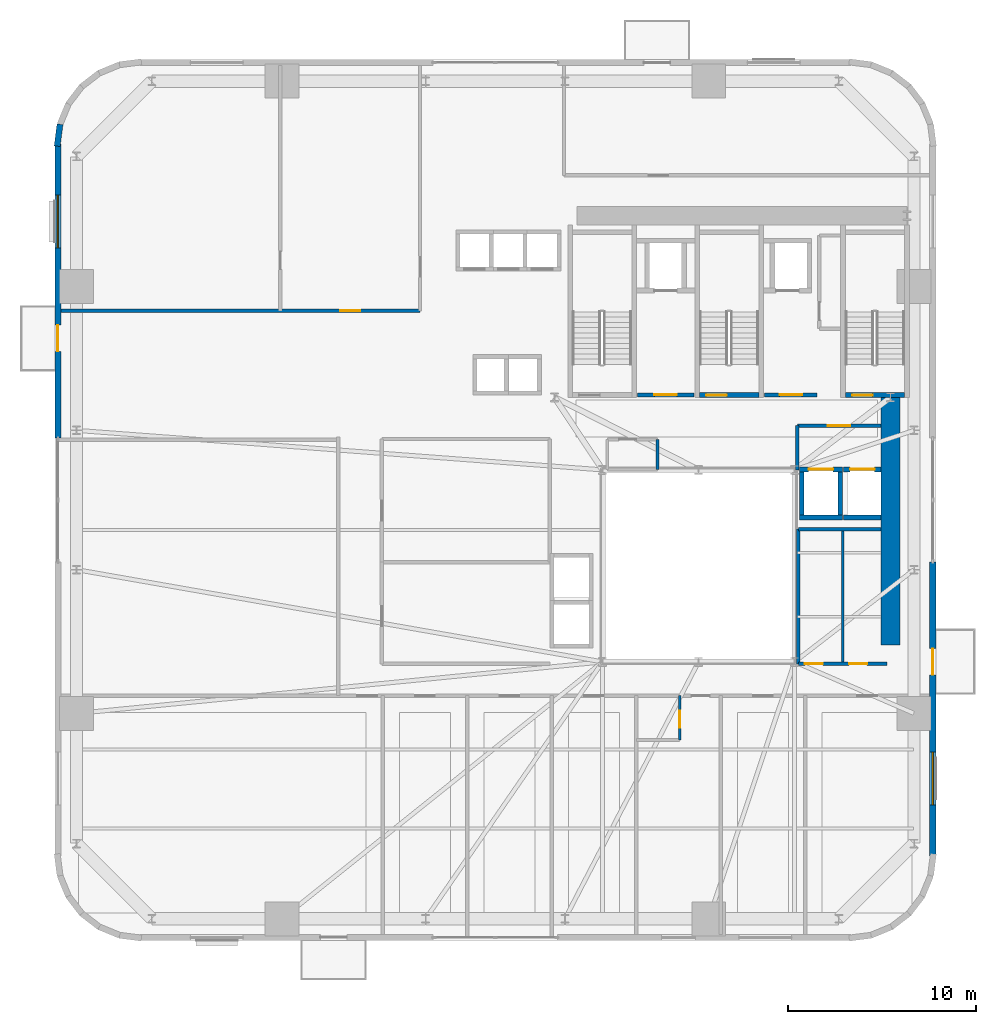
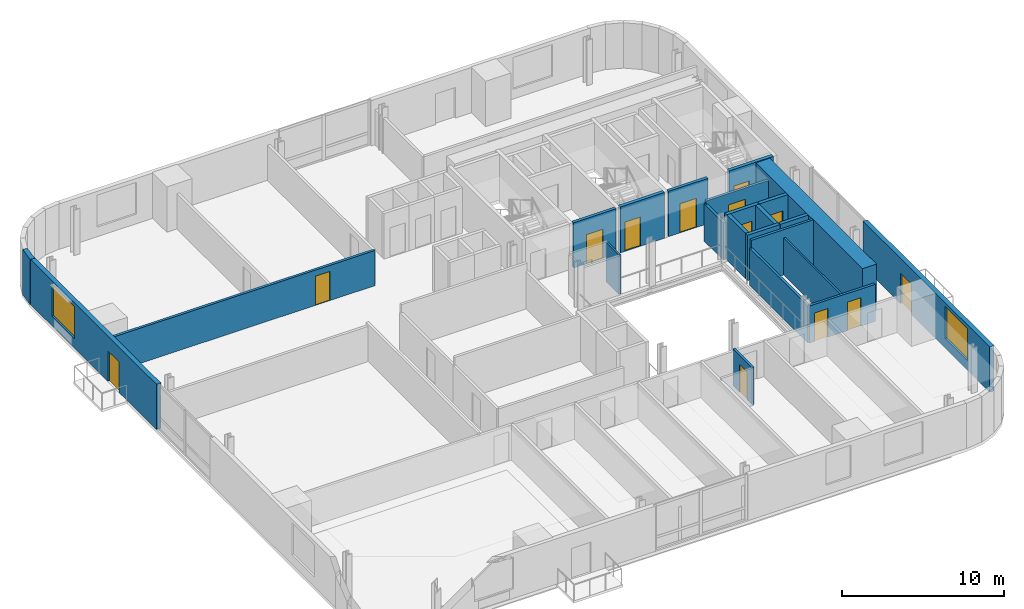
# One storey, part 7 of 13: 23 walls, 13 doors, 2 windows, 15 openings.
"""IFC4 building model written with IfcOpenShell, lengths in metres."""

from ifc_helpers import new_model, si_unit, direction, frame, frame_2d, origin, place, context, subcontext, project, spatial, rectangle, extrude, source, transform, mapped, material, layer, layer_set, type_object, element, fill, save


model = new_model("IFC4")

# Units and contexts
model_context = context("Model", 3, precision=1e-05, world=origin(), true_north=direction((0.0, 1.0)))
body_context = subcontext(model_context, "Body", "Model", "MODEL_VIEW")
ifc_project = project(units=[si_unit("LENGTHUNIT", "METRE"), si_unit("AREAUNIT", "SQUARE_METRE"), si_unit("VOLUMEUNIT", "CUBIC_METRE"), si_unit("PLANEANGLEUNIT", "RADIAN"), si_unit("MASSUNIT", "GRAM", prefix="KILO")], contexts=[model_context])

# Site, building, storey
site_placement = place(None, origin())
site = spatial("IfcSite", under=ifc_project, at=site_placement, CompositionType="ELEMENT")
building_placement = place(site_placement, origin())
building = spatial("IfcBuilding", under=site, at=building_placement, Name="Vardaveli Station Tower", CompositionType="ELEMENT")
storey_placement = place(building_placement, frame((0.0, 0.0, 86.0)))
storey = spatial("IfcBuildingStorey", under=building, at=storey_placement, Name="L22", CompositionType="ELEMENT", Elevation=86.0)

# Wall
ifc_material_1 = material(Name="Concrete C60/75", Category="concrete")
ifc_layer_1 = layer(ifc_material_1, 1.0, Name="Concrete C60/75")
ifc_layer_set_1 = layer_set([ifc_layer_1], Name="Concrete C60/75")
wall_type_1 = type_object("IfcWallType", Name="WAL-CORE-1000", PredefinedType="SHEAR", material=ifc_layer_set_1)
shared_shape_1 = source(origin(), body_context, "Body", "SweptSolid", [
    extrude(rectangle(XDim=13.14990234375, YDim=1.0, at=frame_2d((6.574951171875, 0.0))), origin(), (0.0, 0.0, 1.0), 3.409912109375),
])
wall_1_placement = place(storey_placement, frame((46.5, 17.5, 0.0), z_axis=(0.0, 0.0, 1.0), x_axis=(0.0, 1.0, 0.0)))
element("IfcWall", 1, at=wall_1_placement, inside=storey, type_object=wall_type_1, Name="SW-L22-EAST2", PredefinedType="SHEAR", context=body_context, shape_type="MappedRepresentation", body=[
    mapped(shared_shape_1, transform((0.0, 0.0, 0.0), scale=1.0)),
])

# Wall, openings, door, window
ifc_material_2 = material(Name="Precast concrete C45/55", Category="concrete")
ifc_layer_2 = layer(ifc_material_2, 0.320068359375, Name="Precast concrete C45/55")
ifc_layer_set_2 = layer_set([ifc_layer_2], Name="Precast concrete C45/55")
wall_type_2 = type_object("IfcWallType", Name="WAL-EXT-STONE-320", PredefinedType="SOLIDWALL", material=ifc_layer_set_2)
shared_shape_2 = source(origin(), body_context, "Body", "SweptSolid", [
    extrude(rectangle(XDim=15.599853515625, YDim=0.320068359375, at=frame_2d((7.7998046875, 0.0))), origin(), (0.0, 0.0, 1.0), 3.409912109375),
])
wall_2_placement = place(storey_placement, frame((48.739990234375, 6.300048828125, 0.0), z_axis=(0.0, 0.0, 1.0), x_axis=(0.0, 1.0, 0.0)))
wall_2 = element("IfcWall", 2, at=wall_2_placement, inside=storey, type_object=wall_type_2, Name="EW-L22-E1", PredefinedType="SOLIDWALL", context=body_context, shape_type="MappedRepresentation", body=[
    mapped(shared_shape_2, transform((0.0, 0.0, 0.0), scale=1.0)),
])
shared_shape_3 = source(origin(), body_context, "Body", "SweptSolid", [
    extrude(rectangle(XDim=1.39990234375, YDim=2.300048828125, at=frame_2d((0.699951171875, 1.14990234375))), frame((0.0, 0.169921875, 0.0), z_axis=(0.0, -1.0, 0.0), x_axis=(1.0, 0.0, 0.0)), (0.0, 0.0, 1.0), 0.340087890625),
])
opening_1_placement = place(wall_2_placement, frame((9.6103515625, 0.0, 0.0)))
opening_1 = element("IfcOpeningElement", 3, at=opening_1_placement, cuts=wall_2, Name="Opening D-09", PredefinedType="OPENING", context=body_context, shape_type="MappedRepresentation", body=[
    mapped(shared_shape_3, transform((0.0, 0.0, 0.0), scale=1.0)),
])
shared_shape_4 = source(origin(), body_context, "Body", "SweptSolid", [
    extrude(rectangle(XDim=2.800048828125, YDim=2.39990234375, at=frame_2d((1.39990234375, 1.199951171875))), frame((0.0, 0.169921875, 0.0), z_axis=(0.0, -1.0, 0.0), x_axis=(1.0, 0.0, 0.0)), (0.0, 0.0, 1.0), 0.340087890625),
])
opening_2_placement = place(wall_2_placement, frame((2.705078125, 0.0, 0.719970703125)))
opening_2 = element("IfcOpeningElement", 4, at=opening_2_placement, cuts=wall_2, Name="Opening W-04", PredefinedType="OPENING", context=body_context, shape_type="MappedRepresentation", body=[
    mapped(shared_shape_4, transform((0.0, 0.0, 0.0), scale=1.0)),
])
ifc_material_3 = material(Name="Thermally broken aluminium glass", Category="aluminium")
door_type_1 = type_object("IfcDoorType", Name="DR-LOG-1400x2300", OperationType="DOUBLE_DOOR_SLIDING", PredefinedType="DOOR", material=ifc_material_3)
shared_shape_5 = source(origin(), body_context, "Body", "SweptSolid", [
    extrude(rectangle(XDim=1.39990234375, YDim=2.300048828125, at=frame_2d((0.699951171875, 1.14990234375))), frame((0.0, 0.02490234375, 0.0), z_axis=(0.0, -1.0, 0.0), x_axis=(1.0, 0.0, 0.0)), (0.0, 0.0, 1.0), 0.050048828125),
])
door_1_placement = place(opening_1_placement, frame((1.39990234375, 0.0, 0.0), z_axis=(0.0, 0.0, 1.0), x_axis=(-1.0, 0.0, 0.0)))
door_1 = element("IfcDoor", 5, at=door_1_placement, inside=storey, type_object=door_type_1, Name="DLG-L22-E", OperationType="DOUBLE_DOOR_SLIDING", OverallHeight=2.300048828125, OverallWidth=1.39990234375, PredefinedType="DOOR", context=body_context, shape_type="MappedRepresentation", body=[
    mapped(shared_shape_5, transform((0.0, 0.0, 0.0), scale=1.0)),
])
fill(opening_1, door_1)
ifc_material_4 = material(Name="Low-E solar-control glass", Category="glass")
window_type = type_object("IfcWindowType", Name="WIN-SUITE-2800x2400", PartitioningType="SINGLE_PANEL", PredefinedType="WINDOW", material=ifc_material_4)
shared_shape_6 = source(origin(), body_context, "Body", "SweptSolid", [
    extrude(rectangle(XDim=2.800048828125, YDim=2.39990234375, at=frame_2d((1.39990234375, 1.199951171875))), frame((0.0, 0.030029296875, 0.0), z_axis=(0.0, -1.0, 0.0), x_axis=(1.0, 0.0, 0.0)), (0.0, 0.0, 1.0), 0.06005859375),
])
window_1_placement = place(opening_2_placement, origin())
window_1 = element("IfcWindow", 6, at=window_1_placement, inside=storey, type_object=window_type, Name="WN-L22-E1", OverallHeight=2.39990234375, OverallWidth=2.800048828125, PartitioningType="SINGLE_PANEL", PredefinedType="WINDOW", context=body_context, shape_type="MappedRepresentation", body=[
    mapped(shared_shape_6, transform((0.0, 0.0, 0.0), scale=1.0)),
])
fill(opening_2, window_1)

shared_shape_7 = source(origin(), body_context, "Body", "SweptSolid", [
    extrude(rectangle(XDim=15.60009765625, YDim=0.320068359375, at=frame_2d((7.800048828125, 0.0))), origin(), (0.0, 0.0, 1.0), 3.409912109375),
])
wall_3_placement = place(storey_placement, frame((2.260009765625, 44.10009765625, 0.0), z_axis=(0.0, 0.0, 1.0), x_axis=(0.0, -1.0, 0.0)))
wall_3 = element("IfcWall", 7, at=wall_3_placement, inside=storey, type_object=wall_type_2, Name="EW-L22-W1", PredefinedType="SOLIDWALL", context=body_context, shape_type="MappedRepresentation", body=[
    mapped(shared_shape_7, transform((0.0, 0.0, 0.0), scale=1.0)),
])
opening_3_placement = place(wall_3_placement, frame((9.6103515625, 0.0, 0.0)))
opening_3 = element("IfcOpeningElement", 8, at=opening_3_placement, cuts=wall_3, Name="Opening D-09", PredefinedType="OPENING", context=body_context, shape_type="MappedRepresentation", body=[
    mapped(shared_shape_3, transform((0.0, 0.0, 0.0), scale=1.0)),
])
opening_4_placement = place(wall_3_placement, frame((2.705078125, 0.0, 0.719970703125)))
opening_4 = element("IfcOpeningElement", 9, at=opening_4_placement, cuts=wall_3, Name="Opening W-04", PredefinedType="OPENING", context=body_context, shape_type="MappedRepresentation", body=[
    mapped(shared_shape_4, transform((0.0, 0.0, 0.0), scale=1.0)),
])
door_2_placement = place(opening_3_placement, frame((1.39990234375, 0.0, 0.0), z_axis=(0.0, 0.0, 1.0), x_axis=(-1.0, 0.0, 0.0)))
door_2 = element("IfcDoor", 10, at=door_2_placement, inside=storey, type_object=door_type_1, Name="DLG-L22-W", OperationType="DOUBLE_DOOR_SLIDING", OverallHeight=2.300048828125, OverallWidth=1.39990234375, PredefinedType="DOOR", context=body_context, shape_type="MappedRepresentation", body=[
    mapped(shared_shape_5, transform((0.0, 0.0, 0.0), scale=1.0)),
])
fill(opening_3, door_2)
window_2_placement = place(opening_4_placement, origin())
window_2 = element("IfcWindow", 11, at=window_2_placement, inside=storey, type_object=window_type, Name="WN-L22-W1", OverallHeight=2.39990234375, OverallWidth=2.800048828125, PartitioningType="SINGLE_PANEL", PredefinedType="WINDOW", context=body_context, shape_type="MappedRepresentation", body=[
    mapped(shared_shape_6, transform((0.0, 0.0, 0.0), scale=1.0)),
])
fill(opening_4, window_2)

# Wall
shared_shape_8 = source(origin(), body_context, "Body", "SweptSolid", [
    extrude(rectangle(XDim=1.17041015625, YDim=0.320068359375, at=frame_2d((0.585205078125, 0.0))), origin(), (0.0, 0.0, 1.0), 3.409912109375),
])
wall_4_placement = place(storey_placement, frame((2.37451171875, 45.16015625, 0.0), z_axis=(0.0, 0.0, 1.0), x_axis=(-0.128295670475, -0.991735963317, 0.0)))
element("IfcWall", 12, at=wall_4_placement, inside=storey, type_object=wall_type_2, Name="EW-L22-CR4-6", PredefinedType="SOLIDWALL", context=body_context, shape_type="MappedRepresentation", body=[
    mapped(shared_shape_8, transform((0.0, 0.0, 0.0), scale=1.0)),
])

# Wall, opening, door
ifc_material_5 = material(Name="Concrete C40/50", Category="concrete")
ifc_layer_3 = layer(ifc_material_5, 0.25, Name="Concrete C40/50")
ifc_layer_set_3 = layer_set([ifc_layer_3], Name="Concrete C40/50")
wall_type_3 = type_object("IfcWallType", Name="WAL-SHAFT-250", PredefinedType="SOLIDWALL", material=ifc_layer_set_3)
shared_shape_9 = source(origin(), body_context, "Body", "SweptSolid", [
    extrude(rectangle(XDim=3.14990234375, YDim=0.25, at=frame_2d((1.574951171875, 0.0))), origin(), (0.0, 0.0, 1.0), 3.449951171875),
])
wall_5_placement = place(storey_placement, frame((36.35009765625, 30.77490234375, 0.0), z_axis=(0.0, 0.0, 1.0), x_axis=(1.0, 0.0, 0.0)))
wall_5 = element("IfcWall", 13, at=wall_5_placement, inside=storey, type_object=wall_type_3, Name="W-L22-ST-2S", PredefinedType="SOLIDWALL", context=body_context, shape_type="MappedRepresentation", body=[
    mapped(shared_shape_9, transform((0.0, 0.0, 0.0), scale=1.0)),
])
shared_shape_10 = source(origin(), body_context, "Body", "SweptSolid", [
    extrude(rectangle(XDim=1.10009765625, YDim=2.199951171875, at=frame_2d((0.550048828125, 1.10009765625))), frame((0.0, 0.135009765625, 0.0), z_axis=(0.0, -1.0, 0.0), x_axis=(1.0, 0.0, 0.0)), (0.0, 0.0, 1.0), 0.27001953125),
])
opening_5_placement = place(wall_5_placement, frame((0.35009765625, 0.0, 0.0)))
opening_5 = element("IfcOpeningElement", 14, at=opening_5_placement, cuts=wall_5, Name="Opening D-04", PredefinedType="OPENING", context=body_context, shape_type="MappedRepresentation", body=[
    mapped(shared_shape_10, transform((0.0, 0.0, 0.0), scale=1.0)),
])
ifc_material_6 = material(Name="Steel smokeproof fire doorset", Category="steel")
door_type_2 = type_object("IfcDoorType", Name="DR-ST-1100x2200", OperationType="NOTDEFINED", PredefinedType="DOOR", material=ifc_material_6)
shared_shape_11 = source(origin(), body_context, "Body", "SweptSolid", [
    extrude(rectangle(XDim=1.10009765625, YDim=2.199951171875, at=frame_2d((0.550048828125, 1.10009765625))), frame((0.0, 0.02490234375, 0.0), z_axis=(0.0, -1.0, 0.0), x_axis=(1.0, 0.0, 0.0)), (0.0, 0.0, 1.0), 0.050048828125),
])
door_3_placement = place(opening_5_placement, origin())
door_3 = element("IfcDoor", 15, at=door_3_placement, inside=storey, type_object=door_type_2, Name="DST-2-L22", OperationType="SINGLE_SWING_LEFT", OverallHeight=2.199951171875, OverallWidth=1.10009765625, PredefinedType="DOOR", context=body_context, shape_type="MappedRepresentation", body=[
    mapped(shared_shape_11, transform((0.0, 0.0, 0.0), scale=1.0)),
])
fill(opening_5, door_3)

wall_6_placement = place(storey_placement, frame((44.10009765625, 30.77490234375, 0.0), z_axis=(0.0, 0.0, 1.0), x_axis=(1.0, 0.0, 0.0)))
wall_6 = element("IfcWall", 16, at=wall_6_placement, inside=storey, type_object=wall_type_3, Name="W-L22-ST-3S", PredefinedType="SOLIDWALL", context=body_context, shape_type="MappedRepresentation", body=[
    mapped(shared_shape_9, transform((0.0, 0.0, 0.0), scale=1.0)),
])
opening_6_placement = place(wall_6_placement, frame((0.35009765625, 0.0, 0.0)))
opening_6 = element("IfcOpeningElement", 17, at=opening_6_placement, cuts=wall_6, Name="Opening D-04", PredefinedType="OPENING", context=body_context, shape_type="MappedRepresentation", body=[
    mapped(shared_shape_10, transform((0.0, 0.0, 0.0), scale=1.0)),
])
door_4_placement = place(opening_6_placement, origin())
door_4 = element("IfcDoor", 18, at=door_4_placement, inside=storey, type_object=door_type_2, Name="DST-3-L22", OperationType="SINGLE_SWING_LEFT", OverallHeight=2.199951171875, OverallWidth=1.10009765625, PredefinedType="DOOR", context=body_context, shape_type="MappedRepresentation", body=[
    mapped(shared_shape_11, transform((0.0, 0.0, 0.0), scale=1.0)),
])
fill(opening_6, door_4)

ifc_layer_4 = layer(ifc_material_5, 0.219970703125, Name="Concrete C40/50")
ifc_layer_set_4 = layer_set([ifc_layer_4], Name="Concrete C40/50")
wall_type_4 = type_object("IfcWallType", Name="WAL-FFLOBBY-220", PredefinedType="SOLIDWALL", material=ifc_layer_set_4)
shared_shape_12 = source(origin(), body_context, "Body", "SweptSolid", [
    extrude(rectangle(XDim=3.0, YDim=0.219970703125, at=frame_2d((1.5, 0.0))), origin(), (0.0, 0.0, 1.0), 3.409912109375),
])
wall_7_placement = place(storey_placement, frame((33.050048828125, 30.780029296875, 0.0), z_axis=(0.0, 0.0, 1.0), x_axis=(1.0, 0.0, 0.0)))
wall_7 = element("IfcWall", 19, at=wall_7_placement, inside=storey, type_object=wall_type_4, Name="W-L22-FFL1S", PredefinedType="SOLIDWALL", context=body_context, shape_type="MappedRepresentation", body=[
    mapped(shared_shape_12, transform((0.0, 0.0, 0.0), scale=1.0)),
])
shared_shape_13 = source(origin(), body_context, "Body", "SweptSolid", [
    extrude(rectangle(XDim=1.199951171875, YDim=2.199951171875, at=frame_2d((0.60009765625, 1.10009765625))), frame((0.0, 0.1201171875, 0.0), z_axis=(0.0, -1.0, 0.0), x_axis=(1.0, 0.0, 0.0)), (0.0, 0.0, 1.0), 0.239990234375),
])
opening_7_placement = place(wall_7_placement, frame((0.89990234375, 0.0, 0.0)))
opening_7 = element("IfcOpeningElement", 20, at=opening_7_placement, cuts=wall_7, Name="Opening D-03", PredefinedType="OPENING", context=body_context, shape_type="MappedRepresentation", body=[
    mapped(shared_shape_13, transform((0.0, 0.0, 0.0), scale=1.0)),
])
door_type_3 = type_object("IfcDoorType", Name="DR-FFL-1200x2200", OperationType="NOTDEFINED", PredefinedType="DOOR", material=ifc_material_6)
shared_shape_14 = source(origin(), body_context, "Body", "SweptSolid", [
    extrude(rectangle(XDim=1.199951171875, YDim=2.199951171875, at=frame_2d((0.60009765625, 1.10009765625))), frame((0.0, 0.02490234375, 0.0), z_axis=(0.0, -1.0, 0.0), x_axis=(1.0, 0.0, 0.0)), (0.0, 0.0, 1.0), 0.050048828125),
])
door_5_placement = place(opening_7_placement, origin())
door_5 = element("IfcDoor", 21, at=door_5_placement, inside=storey, type_object=door_type_3, Name="DFFL1-L22", OperationType="SINGLE_SWING_LEFT", OverallHeight=2.199951171875, OverallWidth=1.199951171875, PredefinedType="DOOR", context=body_context, shape_type="MappedRepresentation", body=[
    mapped(shared_shape_14, transform((0.0, 0.0, 0.0), scale=1.0)),
])
fill(opening_7, door_5)

shared_shape_15 = source(origin(), body_context, "Body", "SweptSolid", [
    extrude(rectangle(XDim=2.800048828125, YDim=0.219970703125, at=frame_2d((1.39990234375, 0.0))), origin(), (0.0, 0.0, 1.0), 3.409912109375),
])
wall_8_placement = place(storey_placement, frame((39.800048828125, 30.780029296875, 0.0), z_axis=(0.0, 0.0, 1.0), x_axis=(1.0, 0.0, 0.0)))
wall_8 = element("IfcWall", 22, at=wall_8_placement, inside=storey, type_object=wall_type_4, Name="W-L22-FFL2S", PredefinedType="SOLIDWALL", context=body_context, shape_type="MappedRepresentation", body=[
    mapped(shared_shape_15, transform((0.0, 0.0, 0.0), scale=1.0)),
])
opening_8_placement = place(wall_8_placement, frame((0.800048828125, 0.0, 0.0)))
opening_8 = element("IfcOpeningElement", 23, at=opening_8_placement, cuts=wall_8, Name="Opening D-03", PredefinedType="OPENING", context=body_context, shape_type="MappedRepresentation", body=[
    mapped(shared_shape_13, transform((0.0, 0.0, 0.0), scale=1.0)),
])
door_6_placement = place(opening_8_placement, origin())
door_6 = element("IfcDoor", 24, at=door_6_placement, inside=storey, type_object=door_type_3, Name="DFFL2-L22", OperationType="SINGLE_SWING_RIGHT", OverallHeight=2.199951171875, OverallWidth=1.199951171875, PredefinedType="DOOR", context=body_context, shape_type="MappedRepresentation", body=[
    mapped(shared_shape_14, transform((0.0, 0.0, 0.0), scale=1.0)),
])
fill(opening_8, door_6)

# Wall
shared_shape_16 = source(origin(), body_context, "Body", "SweptSolid", [
    extrude(rectangle(XDim=2.300048828125, YDim=0.25, at=frame_2d((1.14990234375, 0.0))), origin(), (0.0, 0.0, 1.0), 3.409912109375),
])
wall_9_placement = place(storey_placement, frame((41.64990234375, 24.27490234375, 0.0), z_axis=(0.0, 0.0, 1.0), x_axis=(1.0, 0.0, 0.0)))
element("IfcWall", 25, at=wall_9_placement, inside=storey, type_object=wall_type_3, Name="SHW-SRV-01-L22-S", PredefinedType="SOLIDWALL", context=body_context, shape_type="MappedRepresentation", body=[
    mapped(shared_shape_16, transform((0.0, 0.0, 0.0), scale=1.0)),
])

# Wall, opening, door
wall_10_placement = place(storey_placement, frame((41.64990234375, 26.824951171875, 0.0), z_axis=(0.0, 0.0, 1.0), x_axis=(1.0, 0.0, 0.0)))
wall_10 = element("IfcWall", 26, at=wall_10_placement, inside=storey, type_object=wall_type_3, Name="SHW-SRV-01-L22-N", PredefinedType="SOLIDWALL", context=body_context, shape_type="MappedRepresentation", body=[
    mapped(shared_shape_16, transform((0.0, 0.0, 0.0), scale=1.0)),
])
shared_shape_17 = source(origin(), body_context, "Body", "SweptSolid", [
    extrude(rectangle(XDim=1.300048828125, YDim=2.300048828125, at=frame_2d((0.64990234375, 1.14990234375))), frame((0.0, 0.135009765625, 0.0), z_axis=(0.0, -1.0, 0.0), x_axis=(1.0, 0.0, 0.0)), (0.0, 0.0, 1.0), 0.27001953125),
])
opening_9_placement = place(wall_10_placement, frame((0.5, 0.0, 0.0)))
opening_9 = element("IfcOpeningElement", 27, at=opening_9_placement, cuts=wall_10, Name="Opening LD-03", PredefinedType="OPENING", context=body_context, shape_type="MappedRepresentation", body=[
    mapped(shared_shape_17, transform((0.0, 0.0, 0.0), scale=1.0)),
])
ifc_material_7 = material(Name="Brushed stainless steel", Category="steel")
door_type_4 = type_object("IfcDoorType", Name="DR-LD-1300x2300", OperationType="DOUBLE_DOOR_SLIDING", PredefinedType="DOOR", material=ifc_material_7)
shared_shape_18 = source(origin(), body_context, "Body", "SweptSolid", [
    extrude(rectangle(XDim=1.300048828125, YDim=2.300048828125, at=frame_2d((0.64990234375, 1.14990234375))), frame((0.0, 0.02490234375, 0.0), z_axis=(0.0, -1.0, 0.0), x_axis=(1.0, 0.0, 0.0)), (0.0, 0.0, 1.0), 0.050048828125),
])
door_7_placement = place(opening_9_placement, origin())
door_7 = element("IfcDoor", 28, at=door_7_placement, inside=storey, type_object=door_type_4, Name="LD-SRV-01-L22", OperationType="DOUBLE_DOOR_SLIDING", OverallHeight=2.300048828125, OverallWidth=1.300048828125, PredefinedType="DOOR", context=body_context, shape_type="MappedRepresentation", body=[
    mapped(shared_shape_18, transform((0.0, 0.0, 0.0), scale=1.0)),
])
fill(opening_9, door_7)

# Walls
for number, where, z_axis, x_axis, name in (
    (29, (41.77490234375, 24.39990234375, 0.0), (0.0, 0.0, 1.0), (0.0, 1.0, 0.0), "SHW-SRV-01-L22-W"),
    (30, (43.824951171875, 24.39990234375, 0.0), (0.0, 0.0, 1.0), (0.0, 1.0, 0.0), "SHW-SRV-01-L22-E"),
):
    element("IfcWall", number, at=place(storey_placement, frame(where, z_axis=z_axis, x_axis=x_axis)), inside=storey, type_object=wall_type_3, Name=name, PredefinedType="SOLIDWALL", context=body_context, shape_type="MappedRepresentation", body=[
        mapped(shared_shape_16, transform((0.0, 0.0, 0.0), scale=1.0)),
    ])
shared_shape_19 = source(origin(), body_context, "Body", "SweptSolid", [
    extrude(rectangle(XDim=2.0, YDim=0.25, at=frame_2d((1.0, 0.0))), origin(), (0.0, 0.0, 1.0), 3.409912109375),
])
wall_11_placement = place(storey_placement, frame((44.0, 24.27490234375, 0.0), z_axis=(0.0, 0.0, 1.0), x_axis=(1.0, 0.0, 0.0)))
element("IfcWall", 31, at=wall_11_placement, inside=storey, type_object=wall_type_3, Name="SHW-SRV-02-L22-S", PredefinedType="SOLIDWALL", context=body_context, shape_type="MappedRepresentation", body=[
    mapped(shared_shape_19, transform((0.0, 0.0, 0.0), scale=1.0)),
])

# Wall, opening, door
wall_12_placement = place(storey_placement, frame((44.0, 26.824951171875, 0.0), z_axis=(0.0, 0.0, 1.0), x_axis=(1.0, 0.0, 0.0)))
wall_12 = element("IfcWall", 32, at=wall_12_placement, inside=storey, type_object=wall_type_3, Name="SHW-SRV-02-L22-N", PredefinedType="SOLIDWALL", context=body_context, shape_type="MappedRepresentation", body=[
    mapped(shared_shape_19, transform((0.0, 0.0, 0.0), scale=1.0)),
])
opening_10_placement = place(wall_12_placement, frame((0.35009765625, 0.0, 0.0)))
opening_10 = element("IfcOpeningElement", 33, at=opening_10_placement, cuts=wall_12, Name="Opening LD-03", PredefinedType="OPENING", context=body_context, shape_type="MappedRepresentation", body=[
    mapped(shared_shape_17, transform((0.0, 0.0, 0.0), scale=1.0)),
])
door_8_placement = place(opening_10_placement, origin())
door_8 = element("IfcDoor", 34, at=door_8_placement, inside=storey, type_object=door_type_4, Name="LD-SRV-02-L22", OperationType="DOUBLE_DOOR_SLIDING", OverallHeight=2.300048828125, OverallWidth=1.300048828125, PredefinedType="DOOR", context=body_context, shape_type="MappedRepresentation", body=[
    mapped(shared_shape_18, transform((0.0, 0.0, 0.0), scale=1.0)),
])
fill(opening_10, door_8)

ifc_material_8 = material(Name="Fire-rated gypsum stud partition")
ifc_layer_5 = layer(ifc_material_8, 0.179931640625, Name="Fire-rated gypsum stud partition")
ifc_layer_set_5 = layer_set([ifc_layer_5], Name="Fire-rated gypsum stud partition")
wall_type_5 = type_object("IfcWallType", Name="WAL-CORR-180", PredefinedType="PARTITIONING", material=ifc_layer_set_5)
shared_shape_20 = source(origin(), body_context, "Body", "SweptSolid", [
    extrude(rectangle(XDim=4.447998046875, YDim=0.179931640625, at=frame_2d((2.22412109375, 0.0))), origin(), (0.0, 0.0, 1.0), 3.0419921875),
])
wall_13_placement = place(storey_placement, frame((41.550048828125, 29.14990234375, 0.0), z_axis=(0.0, 0.0, 1.0), x_axis=(1.0, 0.0, 0.0)))
wall_13 = element("IfcWall", 35, at=wall_13_placement, inside=storey, type_object=wall_type_5, Name="W-L22-SVFN", PredefinedType="PARTITIONING", context=body_context, shape_type="MappedRepresentation", body=[
    mapped(shared_shape_20, transform((0.0, 0.0, 0.0), scale=1.0)),
])
shared_shape_21 = source(origin(), body_context, "Body", "SweptSolid", [
    extrude(rectangle(XDim=1.199951171875, YDim=2.199951171875, at=frame_2d((0.60009765625, 1.10009765625))), frame((0.0, 0.10009765625, 0.0), z_axis=(0.0, -1.0, 0.0), x_axis=(1.0, 0.0, 0.0)), (0.0, 0.0, 1.0), 0.199951171875),
])
opening_11_placement = place(wall_13_placement, frame((1.60009765625, 0.0, 0.0)))
opening_11 = element("IfcOpeningElement", 36, at=opening_11_placement, cuts=wall_13, Name="Opening D-03", PredefinedType="OPENING", context=body_context, shape_type="MappedRepresentation", body=[
    mapped(shared_shape_21, transform((0.0, 0.0, 0.0), scale=1.0)),
])
door_9_placement = place(opening_11_placement, origin())
door_9 = element("IfcDoor", 37, at=door_9_placement, inside=storey, type_object=door_type_3, Name="D-L22-SVF", OperationType="SINGLE_SWING_RIGHT", OverallHeight=2.199951171875, OverallWidth=1.199951171875, PredefinedType="DOOR", context=body_context, shape_type="MappedRepresentation", body=[
    mapped(shared_shape_14, transform((0.0, 0.0, 0.0), scale=1.0)),
])
fill(opening_11, door_9)

# Wall, openings, doors
shared_shape_22 = source(origin(), body_context, "Body", "SweptSolid", [
    extrude(rectangle(XDim=4.699951171875, YDim=0.179931640625, at=frame_2d((2.35009765625, 0.0))), origin(), (0.0, 0.0, 1.0), 2.802001953125),
])
wall_14_placement = place(storey_placement, frame((41.60009765625, 16.5, 0.0), z_axis=(0.0, 0.0, 1.0), x_axis=(1.0, 0.0, 0.0)))
wall_14 = element("IfcWall", 38, at=wall_14_placement, inside=storey, type_object=wall_type_5, Name="W-L22-ATE-S", PredefinedType="PARTITIONING", context=body_context, shape_type="MappedRepresentation", body=[
    mapped(shared_shape_22, transform((0.0, 0.0, 0.0), scale=1.0)),
])
shared_shape_23 = source(origin(), body_context, "Body", "SweptSolid", [
    extrude(rectangle(XDim=0.949951171875, YDim=2.14990234375, at=frame_2d((0.47509765625, 1.074951171875))), frame((0.0, 0.10009765625, 0.0), z_axis=(0.0, -1.0, 0.0), x_axis=(1.0, 0.0, 0.0)), (0.0, 0.0, 1.0), 0.199951171875),
])
opening_12_placement = place(wall_14_placement, frame((0.35009765625, 0.0, 0.0)))
opening_12 = element("IfcOpeningElement", 39, at=opening_12_placement, cuts=wall_14, Name="Opening D-11", PredefinedType="OPENING", context=body_context, shape_type="MappedRepresentation", body=[
    mapped(shared_shape_23, transform((0.0, 0.0, 0.0), scale=1.0)),
])
opening_13_placement = place(wall_14_placement, frame((2.699951171875, 0.0, 0.0)))
opening_13 = element("IfcOpeningElement", 40, at=opening_13_placement, cuts=wall_14, Name="Opening D-11", PredefinedType="OPENING", context=body_context, shape_type="MappedRepresentation", body=[
    mapped(shared_shape_23, transform((0.0, 0.0, 0.0), scale=1.0)),
])
ifc_material_9 = material(Name="Oak veneer internal suite door")
door_type_5 = type_object("IfcDoorType", Name="DR-INT-950x2150", OperationType="NOTDEFINED", PredefinedType="DOOR", material=ifc_material_9)
shared_shape_24 = source(origin(), body_context, "Body", "SweptSolid", [
    extrude(rectangle(XDim=0.949951171875, YDim=2.14990234375, at=frame_2d((0.47509765625, 1.074951171875))), frame((0.0, 0.02490234375, 0.0), z_axis=(0.0, -1.0, 0.0), x_axis=(1.0, 0.0, 0.0)), (0.0, 0.0, 1.0), 0.050048828125),
])
door_10_placement = place(opening_12_placement, origin())
door_10 = element("IfcDoor", 41, at=door_10_placement, inside=storey, type_object=door_type_5, Name="D-L22-ATE1", OperationType="SINGLE_SWING_RIGHT", OverallHeight=2.14990234375, OverallWidth=0.949951171875, PredefinedType="DOOR", context=body_context, shape_type="MappedRepresentation", body=[
    mapped(shared_shape_24, transform((0.0, 0.0, 0.0), scale=1.0)),
])
fill(opening_12, door_10)
door_11_placement = place(opening_13_placement, origin())
door_11 = element("IfcDoor", 42, at=door_11_placement, inside=storey, type_object=door_type_5, Name="D-L22-ATE2", OperationType="SINGLE_SWING_RIGHT", OverallHeight=2.14990234375, OverallWidth=0.949951171875, PredefinedType="DOOR", context=body_context, shape_type="MappedRepresentation", body=[
    mapped(shared_shape_24, transform((0.0, 0.0, 0.0), scale=1.0)),
])
fill(opening_13, door_11)

# Walls
shared_shape_25 = source(origin(), body_context, "Body", "SweptSolid", [
    extrude(rectangle(XDim=7.14990234375, YDim=0.179931640625, at=frame_2d((3.574951171875, 0.0))), origin(), (0.0, 0.0, 1.0), 2.802001953125),
])
wall_15_placement = place(storey_placement, frame((41.60009765625, 16.5, 0.0), z_axis=(0.0, 0.0, 1.0), x_axis=(0.0, 1.0, 0.0)))
element("IfcWall", 43, at=wall_15_placement, inside=storey, type_object=wall_type_5, Name="W-L22-ATE-W", PredefinedType="PARTITIONING", context=body_context, shape_type="MappedRepresentation", body=[
    mapped(shared_shape_25, transform((0.0, 0.0, 0.0), scale=1.0)),
])
shared_shape_26 = source(origin(), body_context, "Body", "SweptSolid", [
    extrude(rectangle(XDim=4.39794921875, YDim=0.179931640625, at=frame_2d((2.198974609375, 0.0))), origin(), (0.0, 0.0, 1.0), 3.409912109375),
])
wall_16_placement = place(storey_placement, frame((41.60009765625, 23.64990234375, 0.0), z_axis=(0.0, 0.0, 1.0), x_axis=(1.0, 0.0, 0.0)))
element("IfcWall", 44, at=wall_16_placement, inside=storey, type_object=wall_type_5, Name="W-L22-ATE-N", PredefinedType="PARTITIONING", context=body_context, shape_type="MappedRepresentation", body=[
    mapped(shared_shape_26, transform((0.0, 0.0, 0.0), scale=1.0)),
])
shared_shape_27 = source(origin(), body_context, "Body", "SweptSolid", [
    extrude(rectangle(XDim=2.349853515625, YDim=0.179931640625, at=frame_2d((1.1748046875, 0.0))), origin(), (0.0, 0.0, 1.0), 2.802001953125),
])
wall_17_placement = place(storey_placement, frame((41.550048828125, 26.800048828125, 0.0), z_axis=(0.0, 0.0, 1.0), x_axis=(0.0, 1.0, 0.0)))
element("IfcWall", 45, at=wall_17_placement, inside=storey, type_object=wall_type_5, Name="W-L22-SVFW", PredefinedType="PARTITIONING", context=body_context, shape_type="MappedRepresentation", body=[
    mapped(shared_shape_27, transform((0.0, 0.0, 0.0), scale=1.0)),
])

# Wall, opening, door
shared_shape_28 = source(origin(), body_context, "Body", "SweptSolid", [
    extrude(rectangle(XDim=19.077880859375, YDim=0.179931640625, at=frame_2d((9.5390625, 0.0))), origin(), (0.0, 0.0, 1.0), 2.652099609375),
])
wall_18_placement = place(storey_placement, frame((2.422119140625, 35.25, 0.0), z_axis=(0.0, 0.0, 1.0), x_axis=(1.0, 0.0, 0.0)))
wall_18 = element("IfcWall", 46, at=wall_18_placement, inside=storey, type_object=wall_type_5, Name="W-L22-CNWS", PredefinedType="PARTITIONING", context=body_context, shape_type="MappedRepresentation", body=[
    mapped(shared_shape_28, transform((0.0, 0.0, 0.0), scale=1.0)),
])
shared_shape_29 = source(origin(), body_context, "Body", "SweptSolid", [
    extrude(rectangle(XDim=1.050048828125, YDim=2.199951171875, at=frame_2d((0.52490234375, 1.10009765625))), frame((0.0, 0.10009765625, 0.0), z_axis=(0.0, -1.0, 0.0), x_axis=(1.0, 0.0, 0.0)), (0.0, 0.0, 1.0), 0.199951171875),
])
opening_14_placement = place(wall_18_placement, frame((14.84326171875, 0.0, 0.0)))
opening_14 = element("IfcOpeningElement", 47, at=opening_14_placement, cuts=wall_18, Name="Opening D-05", PredefinedType="OPENING", context=body_context, shape_type="MappedRepresentation", body=[
    mapped(shared_shape_29, transform((0.0, 0.0, 0.0), scale=1.0)),
])
ifc_material_10 = material(Name="Walnut veneer acoustic fire door")
door_type_6 = type_object("IfcDoorType", Name="DR-SUITE-1050x2200", OperationType="NOTDEFINED", PredefinedType="DOOR", material=ifc_material_10)
shared_shape_30 = source(origin(), body_context, "Body", "SweptSolid", [
    extrude(rectangle(XDim=1.050048828125, YDim=2.199951171875, at=frame_2d((0.52490234375, 1.10009765625))), frame((0.0, 0.02490234375, 0.0), z_axis=(0.0, -1.0, 0.0), x_axis=(1.0, 0.0, 0.0)), (0.0, 0.0, 1.0), 0.050048828125),
])
door_12_placement = place(opening_14_placement, origin())
door_12 = element("IfcDoor", 48, at=door_12_placement, inside=storey, type_object=door_type_6, Name="D-L22-GNW2", OperationType="SINGLE_SWING_RIGHT", OverallHeight=2.199951171875, OverallWidth=1.050048828125, PredefinedType="DOOR", context=body_context, shape_type="MappedRepresentation", body=[
    mapped(shared_shape_30, transform((0.0, 0.0, 0.0), scale=1.0)),
])
fill(opening_14, door_12)

# Walls
ifc_material_11 = material(Name="Gypsum board stud partition")
ifc_layer_6 = layer(ifc_material_11, 0.125, Name="Gypsum board stud partition")
ifc_layer_set_6 = layer_set([ifc_layer_6], Name="Gypsum board stud partition")
wall_type_6 = type_object("IfcWallType", Name="WAL-INT-125", PredefinedType="PARTITIONING", material=ifc_layer_set_6)
shared_shape_31 = source(origin(), body_context, "Body", "SweptSolid", [
    extrude(rectangle(XDim=7.14990234375, YDim=0.125, at=frame_2d((3.574951171875, 0.0))), origin(), (0.0, 0.0, 1.0), 2.802001953125),
])
wall_19_placement = place(storey_placement, frame((43.949951171875, 16.5, 0.0), z_axis=(0.0, 0.0, 1.0), x_axis=(0.0, 1.0, 0.0)))
element("IfcWall", 49, at=wall_19_placement, inside=storey, type_object=wall_type_6, Name="W-L22-ATEM", PredefinedType="PARTITIONING", context=body_context, shape_type="MappedRepresentation", body=[
    mapped(shared_shape_31, transform((0.0, 0.0, 0.0), scale=1.0)),
])
ifc_material_12 = material(Name="Moisture-resistant stud partition")
ifc_layer_7 = layer(ifc_material_12, 0.14990234375, Name="Moisture-resistant stud partition")
ifc_layer_set_7 = layer_set([ifc_layer_7], Name="Moisture-resistant stud partition")
wall_type_7 = type_object("IfcWallType", Name="WAL-WET-150", PredefinedType="PARTITIONING", material=ifc_layer_set_7)
shared_shape_32 = source(origin(), body_context, "Body", "SweptSolid", [
    extrude(rectangle(XDim=1.599853515625, YDim=0.14990234375, at=frame_2d((0.7998046875, 0.0))), origin(), (0.0, 0.0, 1.0), 2.951904296875),
])
wall_20_placement = place(storey_placement, frame((34.1201171875, 26.820068359375, 0.0), z_axis=(0.0, 0.0, 1.0), x_axis=(0.0, 1.0, 0.0)))
element("IfcWall", 50, at=wall_20_placement, inside=storey, type_object=wall_type_7, Name="W-L22-WCA1-E", PredefinedType="PARTITIONING", context=body_context, shape_type="MappedRepresentation", body=[
    mapped(shared_shape_32, transform((0.0, 0.0, 0.0), scale=1.0)),
])

# Wall, opening, door
shared_shape_33 = source(origin(), body_context, "Body", "SweptSolid", [
    extrude(rectangle(XDim=2.360107421875, YDim=0.14990234375, at=frame_2d((1.18017578125, 0.0))), origin(), (0.0, 0.0, 1.0), 2.802001953125),
])
wall_21_placement = place(storey_placement, frame((35.297119140625, 12.449951171875, 0.0), z_axis=(0.0, 0.0, 1.0), x_axis=(0.0, 1.0, 0.0)))
wall_21 = element("IfcWall", 51, at=wall_21_placement, inside=storey, type_object=wall_type_7, Name="W-L22-BS5-E", PredefinedType="PARTITIONING", context=body_context, shape_type="MappedRepresentation", body=[
    mapped(shared_shape_33, transform((0.0, 0.0, 0.0), scale=1.0)),
])
shared_shape_34 = source(origin(), body_context, "Body", "SweptSolid", [
    extrude(rectangle(XDim=0.89990234375, YDim=2.10009765625, at=frame_2d((0.449951171875, 1.050048828125))), frame((0.0, 0.0849609375, 0.0), z_axis=(0.0, -1.0, 0.0), x_axis=(1.0, 0.0, 0.0)), (0.0, 0.0, 1.0), 0.169921875),
])
opening_15_placement = place(wall_21_placement, frame((0.64990234375, 0.0, 0.0)))
opening_15 = element("IfcOpeningElement", 52, at=opening_15_placement, cuts=wall_21, Name="Opening D-08", PredefinedType="OPENING", context=body_context, shape_type="MappedRepresentation", body=[
    mapped(shared_shape_34, transform((0.0, 0.0, 0.0), scale=1.0)),
])
ifc_material_13 = material(Name="Moisture-resistant oak door")
door_type_7 = type_object("IfcDoorType", Name="DR-BATH-900x2100", OperationType="NOTDEFINED", PredefinedType="DOOR", material=ifc_material_13)
shared_shape_35 = source(origin(), body_context, "Body", "SweptSolid", [
    extrude(rectangle(XDim=0.89990234375, YDim=2.10009765625, at=frame_2d((0.449951171875, 1.050048828125))), frame((0.0, 0.02490234375, 0.0), z_axis=(0.0, -1.0, 0.0), x_axis=(1.0, 0.0, 0.0)), (0.0, 0.0, 1.0), 0.050048828125),
])
door_13_placement = place(opening_15_placement, origin())
door_13 = element("IfcDoor", 53, at=door_13_placement, inside=storey, type_object=door_type_7, Name="D-L22-BS5", OperationType="SINGLE_SWING_RIGHT", OverallHeight=2.10009765625, OverallWidth=0.89990234375, PredefinedType="DOOR", context=body_context, shape_type="MappedRepresentation", body=[
    mapped(shared_shape_35, transform((0.0, 0.0, 0.0), scale=1.0)),
])
fill(opening_15, door_13)

save(model, "model.ifc")
